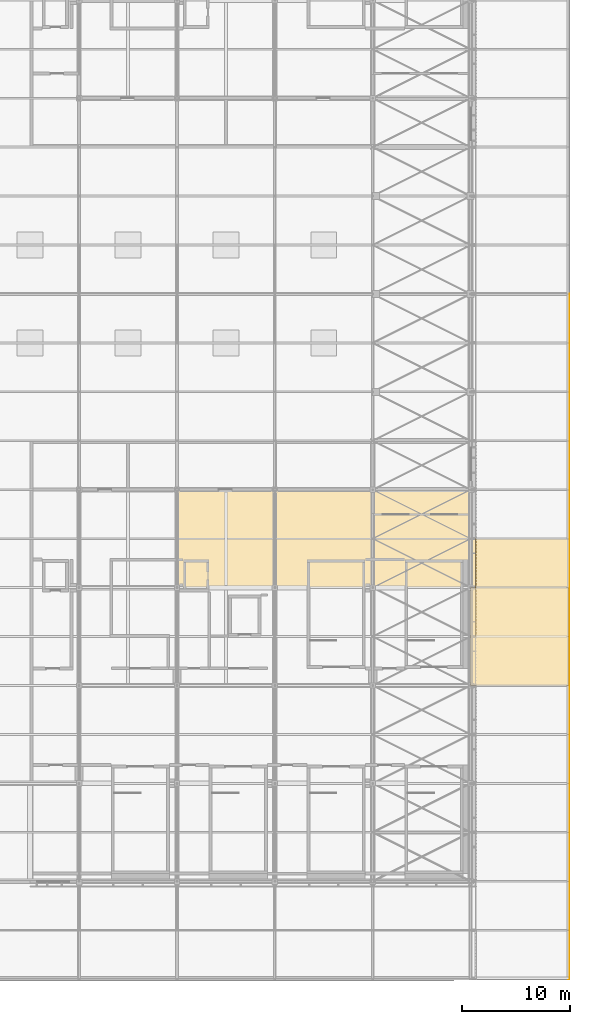
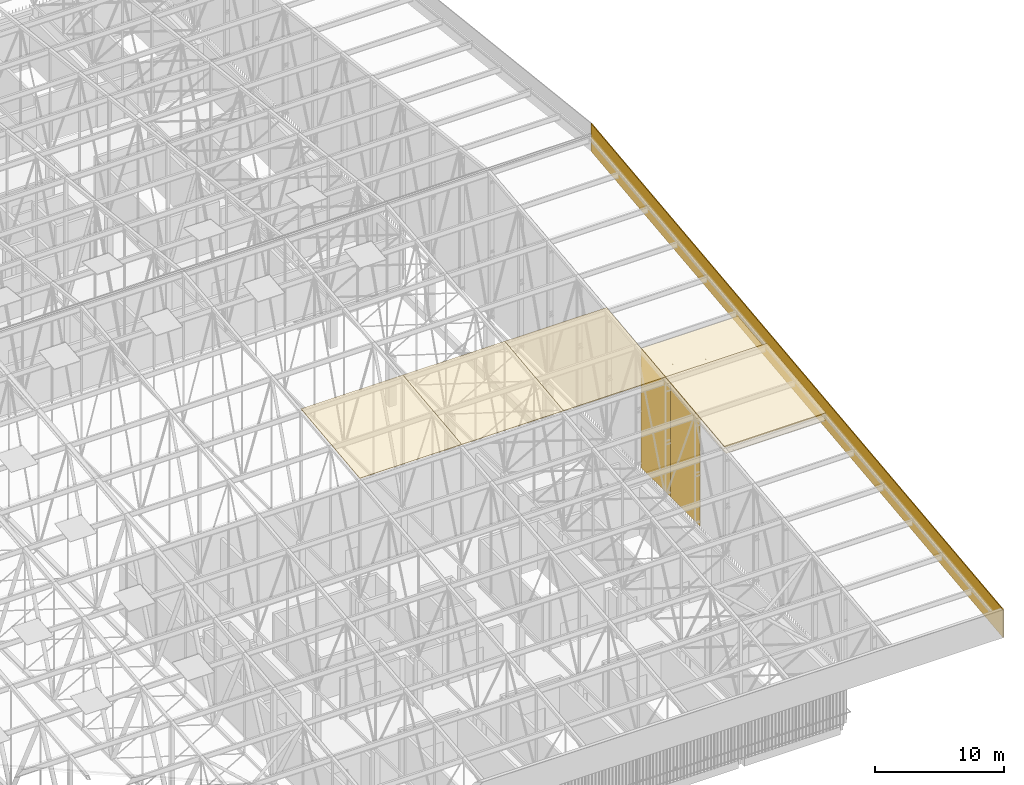
# One storey, part 489 of 500: 8 coverings, 2 shading devices.
"""IFC4 building model written with IfcOpenShell, lengths in metres."""

from ifc_helpers import new_model, si_unit, direction, frame, origin, origin_2d, place, context, subcontext, project, spatial, polyline, rectangle, outline, extrude, material, layer, layer_set, type_object, element, save


model = new_model("IFC4")

# Units and contexts
model_context = context("Model", 3, precision=1e-05, world=origin(), true_north=direction((0.0, 1.0)))
body_context = subcontext(model_context, "Body", "Model", "MODEL_VIEW")
ifc_project = project(units=[si_unit("LENGTHUNIT", "METRE"), si_unit("AREAUNIT", "SQUARE_METRE"), si_unit("VOLUMEUNIT", "CUBIC_METRE"), si_unit("PLANEANGLEUNIT", "RADIAN"), si_unit("MASSUNIT", "GRAM", prefix="KILO")], contexts=[model_context])

# Site, building, storey
site_placement = place(None, origin())
site = spatial("IfcSite", under=ifc_project, at=site_placement, CompositionType="ELEMENT")
building_placement = place(site_placement, origin())
building = spatial("IfcBuilding", under=site, at=building_placement, Name="Shirokan Park Arena", CompositionType="ELEMENT")
storey_placement = place(building_placement, frame((0.0, 0.0, 29.1201171875)))
storey = spatial("IfcBuildingStorey", under=building, at=storey_placement, Name="L06", CompositionType="ELEMENT", Elevation=29.1201171875)

# Coverings
ifc_material_1 = material(Name="Bituminous roofing membrane")
ifc_layer_1 = layer(ifc_material_1, 0.010009765625, Name="Bituminous roofing membrane")
ifc_material_2 = material(Name="Mineral wool insulation")
ifc_layer_2 = layer(ifc_material_2, 0.050048828125, Name="Mineral wool insulation")
ifc_layer_set_1 = layer_set([ifc_layer_1, ifc_layer_2], Name="Bituminous roofing membrane + Mineral wool insulation")
covering_type_1 = type_object("IfcCoveringType", Name="Roofing membrane 60", PredefinedType="ROOFING", material=ifc_layer_set_1)
covering_1_placement = place(storey_placement, frame((118.300048828125, 27.300048828125, 16.05078125), z_axis=(0.0, -0.113526293343, 0.993534992197), x_axis=(1.0, 0.0, 0.0)))
element("IfcCovering", 1, at=covering_1_placement, inside=storey, type_object=covering_type_1, Name="Roofing", PredefinedType="ROOFING", context=body_context, shape_type="SweptSolid", body=[
    extrude(outline(polyline([(0.0, 0.0), (9.099853515625, 0.0), (9.099853515625, 9.159066954957241), (0.0, 9.159066954957241), (0.0, 0.0)])), origin(), (0.0, 0.0, -1.0), 0.06005859375),
])
for number, where, z_axis, x_axis, name in (
    (2, (127.39990234375, 27.300048828125, 16.05078125), (0.0, -0.113526293343, 0.993534992197), (1.0, 0.0, 0.0), "Roofing"),
    (3, (136.5, 27.300048828125, 16.05078125), (0.0, -0.113526293343, 0.993534992197), (1.0, 0.0, 0.0), "Roofing"),
):
    element("IfcCovering", number, at=place(storey_placement, frame(where, z_axis=z_axis, x_axis=x_axis)), inside=storey, type_object=covering_type_1, Name=name, PredefinedType="ROOFING", context=body_context, shape_type="SweptSolid", body=[
        extrude(outline(polyline([(0.0, 0.0), (9.10009765625, 0.0), (9.10009765625, 9.159066954957241), (0.0, 9.159066954957241), (0.0, 0.0)])), origin(), (0.0, 0.0, -1.0), 0.06005859375),
    ])
covering_2_placement = place(storey_placement, frame((145.60009765625, 18.199951171875, 15.0107421875), z_axis=(0.0, -0.113549598152, 0.993532328996), x_axis=(1.0, 0.0, 0.0)))
element("IfcCovering", 4, at=covering_2_placement, inside=storey, type_object=covering_type_1, Name="Roofing", PredefinedType="ROOFING", context=body_context, shape_type="SweptSolid", body=[
    extrude(outline(polyline([(0.0, 0.0), (9.099853515625, 0.0), (9.099853515625, 9.15933723611117), (0.0, 9.15933723611117), (0.0, 0.0)])), origin(), (0.0, 0.0, -1.0), 0.06005859375),
])
ifc_material_3 = material(Name="Timber soffit boards (cedar)", Category="wood")
ifc_layer_3 = layer(ifc_material_3, 0.030029296875)
ifc_layer_set_2 = layer_set([ifc_layer_3], Name="Timber soffit boards (cedar) 30 mm")
covering_type_2 = type_object("IfcCoveringType", Name="Timber boarded soffit panel", PredefinedType="CLADDING", material=ifc_layer_set_2)
covering_3_placement = place(storey_placement, origin())
element("IfcCovering", 5, at=covering_3_placement, inside=storey, type_object=covering_type_2, Name="Rake soffit east bay 7", PredefinedType="CLADDING", context=body_context, shape_type="SweptSolid", body=[
    extrude(outline(polyline([(0.0, 0.0), (0.12000000000000455, 0.0), (0.12000000000000455, -4.579617887990222), (0.0, -4.579617887990222), (0.0, 0.0)])), frame((145.846923828125, 18.199951171875, 14.302001953125), z_axis=(0.0, -0.113546591161, 0.993532672656), x_axis=(-1.0, 0.0, 0.0)), (0.0, 0.0, -1.0), 0.030029296875),
    extrude(outline(polyline([(0.0, 0.0), (0.11999999999997613, 0.0), (0.11999999999997613, -4.579617887990221), (0.0, -4.579617887990221), (0.0, 0.0)])), frame((154.580078125, 22.75, 14.82177734375), z_axis=(0.0, -0.113546591161, 0.993532672656), x_axis=(1.0, 0.0, 0.0)), (0.0, 0.0, -1.0), 0.030029296875),
    extrude(outline(polyline([(0.0, 0.0), (0.12078064455863914, 0.0), (0.12078064455863914, -8.733000000000002), (0.0, -8.733000000000002), (0.0, 0.0)])), frame((154.580078125, 22.75, 14.82177734375), z_axis=(0.0, -0.11351156512, 0.993536675007), x_axis=(0.0, -0.993536675007, -0.11351156512)), (0.0, 0.0, -1.0), 0.030029296875),
    extrude(outline(polyline([(0.0, 0.0), (0.12078064455863916, 0.0), (0.12078064455863916, -8.733000000000006), (0.0, -8.733000000000006), (0.0, 0.0)])), frame((145.846923828125, 18.199951171875, 14.302001953125), z_axis=(0.0, -0.11351156512, 0.993536675007), x_axis=(0.0, 0.993536675007, 0.11351156512)), (0.0, 0.0, -1.0), 0.030029296875),
    extrude(outline(polyline([(0.0, 0.0), (8.733000000000004, 0.0), (8.733000000000004, -0.18452428160000883), (0.0, -0.18452428160000883), (0.0, 0.0)])), frame((154.580078125, 18.320068359375, 14.315673828125), z_axis=(0.0, -0.113589386818, 0.99352778079), x_axis=(-1.0, 0.0, 0.0)), (0.0, 0.0, -1.0), 0.030029296875),
    extrude(outline(polyline([(0.0, 0.0), (8.733000000000004, 0.0), (8.733000000000004, -0.30531372586243316), (0.0, -0.30531372586243316), (0.0, 0.0)])), frame((154.580078125, 18.50341796875, 14.336669921875), z_axis=(0.0, -0.113522573877, 0.993535417195), x_axis=(-1.0, 0.0, 0.0)), (0.0, 0.0, -1.0), 0.030029296875),
    extrude(outline(polyline([(0.0, 0.0), (8.733000000000004, 0.0), (8.733000000000004, -0.30530492593471165), (0.0, -0.30530492593471165), (0.0, 0.0)])), frame((154.580078125, 18.806640625, 14.37109375), z_axis=(0.0, -0.113558600124, 0.99353130013), x_axis=(-1.0, 0.0, 0.0)), (0.0, 0.0, -1.0), 0.030029296875),
    extrude(outline(polyline([(0.0, 0.0), (8.733000000000004, 0.0), (8.733000000000004, -0.30530492593471087), (0.0, -0.30530492593471087), (0.0, 0.0)])), frame((154.580078125, 19.110107421875, 14.40576171875), z_axis=(0.0, -0.113558600124, 0.99353130013), x_axis=(-1.0, 0.0, 0.0)), (0.0, 0.0, -1.0), 0.030029296875),
    extrude(outline(polyline([(0.0, 0.0), (8.733000000000004, 0.0), (8.733000000000004, -0.30531372586243316), (0.0, -0.30531372586243316), (0.0, 0.0)])), frame((154.580078125, 19.413330078125, 14.440673828125), z_axis=(0.0, -0.113522573877, 0.993535417195), x_axis=(-1.0, 0.0, 0.0)), (0.0, 0.0, -1.0), 0.030029296875),
    extrude(outline(polyline([(0.0, 0.0), (8.733000000000004, 0.0), (8.733000000000004, -0.3053049259347117), (0.0, -0.3053049259347117), (0.0, 0.0)])), frame((154.580078125, 19.716552734375, 14.47509765625), z_axis=(0.0, -0.113558600124, 0.99353130013), x_axis=(-1.0, 0.0, 0.0)), (0.0, 0.0, -1.0), 0.030029296875),
    extrude(outline(polyline([(0.0, 0.0), (8.733000000000004, 0.0), (8.733000000000004, -0.30530492593471087), (0.0, -0.30530492593471087), (0.0, 0.0)])), frame((154.580078125, 20.02001953125, 14.509765625), z_axis=(0.0, -0.113558600124, 0.99353130013), x_axis=(-1.0, 0.0, 0.0)), (0.0, 0.0, -1.0), 0.030029296875),
    extrude(outline(polyline([(0.0, 0.0), (8.733000000000004, 0.0), (8.733000000000004, -0.30531372586243394), (0.0, -0.30531372586243394), (0.0, 0.0)])), frame((154.580078125, 20.3232421875, 14.54443359375), z_axis=(0.0, -0.113522573877, 0.993535417195), x_axis=(-1.0, 0.0, 0.0)), (0.0, 0.0, -1.0), 0.030029296875),
    extrude(outline(polyline([(0.0, 0.0), (8.733000000000004, 0.0), (8.733000000000004, -0.30530492593471087), (0.0, -0.30530492593471087), (0.0, 0.0)])), frame((154.580078125, 20.626708984375, 14.5791015625), z_axis=(0.0, -0.113558600124, 0.99353130013), x_axis=(-1.0, 0.0, 0.0)), (0.0, 0.0, -1.0), 0.030029296875),
    extrude(outline(polyline([(0.0, 0.0), (8.733000000000004, 0.0), (8.733000000000004, -0.30530492593471087), (0.0, -0.30530492593471087), (0.0, 0.0)])), frame((154.580078125, 20.929931640625, 14.61376953125), z_axis=(0.0, -0.113558600124, 0.99353130013), x_axis=(-1.0, 0.0, 0.0)), (0.0, 0.0, -1.0), 0.030029296875),
    extrude(outline(polyline([(0.0, 0.0), (8.733000000000004, 0.0), (8.733000000000004, -0.30531372586243394), (0.0, -0.30531372586243394), (0.0, 0.0)])), frame((154.580078125, 21.2333984375, 14.6484375), z_axis=(0.0, -0.113522573877, 0.993535417195), x_axis=(-1.0, 0.0, 0.0)), (0.0, 0.0, -1.0), 0.030029296875),
    extrude(outline(polyline([(0.0, 0.0), (8.733000000000004, 0.0), (8.733000000000004, -0.30530492593471087), (0.0, -0.30530492593471087), (0.0, 0.0)])), frame((154.580078125, 21.53662109375, 14.68310546875), z_axis=(0.0, -0.113558600124, 0.99353130013), x_axis=(-1.0, 0.0, 0.0)), (0.0, 0.0, -1.0), 0.030029296875),
    extrude(outline(polyline([(0.0, 0.0), (8.733000000000004, 0.0), (8.733000000000004, -0.30530492593471087), (0.0, -0.30530492593471087), (0.0, 0.0)])), frame((154.580078125, 21.840087890625, 14.7177734375), z_axis=(0.0, -0.113558600124, 0.99353130013), x_axis=(-1.0, 0.0, 0.0)), (0.0, 0.0, -1.0), 0.030029296875),
    extrude(outline(polyline([(0.0, 0.0), (8.733000000000004, 0.0), (8.733000000000004, -0.305313725862434), (0.0, -0.305313725862434), (0.0, 0.0)])), frame((154.580078125, 22.143310546875, 14.75244140625), z_axis=(0.0, -0.113522573877, 0.993535417195), x_axis=(-1.0, 0.0, 0.0)), (0.0, 0.0, -1.0), 0.030029296875),
    extrude(outline(polyline([(0.0, 0.0), (0.18452428160000806, 0.0), (0.18452428160000806, -8.733000000000004), (0.0, -8.733000000000004), (0.0, 0.0)])), frame((154.580078125, 22.6298828125, 14.80810546875), z_axis=(0.0, -0.113589386818, 0.99352778079), x_axis=(0.0, -0.99352778079, -0.113589386818)), (0.0, 0.0, -1.0), 0.030029296875),
])
covering_4_placement = place(storey_placement, origin())
element("IfcCovering", 6, at=covering_4_placement, inside=storey, type_object=covering_type_2, Name="Rake soffit east bay 8", PredefinedType="CLADDING", context=body_context, shape_type="SweptSolid", body=[
    extrude(outline(polyline([(0.0, 0.0), (0.12000000000000455, 0.0), (0.12000000000000455, -4.579617887990222), (0.0, -4.579617887990222), (0.0, 0.0)])), frame((145.846923828125, 22.75, 14.82177734375), z_axis=(0.0, -0.113546591161, 0.993532672656), x_axis=(-1.0, 0.0, 0.0)), (0.0, 0.0, -1.0), 0.030029296875),
    extrude(outline(polyline([(0.0, 0.0), (0.11999999999997613, 0.0), (0.11999999999997613, -4.579617887990221), (0.0, -4.579617887990221), (0.0, 0.0)])), frame((154.580078125, 27.300048828125, 15.341796875), z_axis=(0.0, -0.113546591161, 0.993532672656), x_axis=(1.0, 0.0, 0.0)), (0.0, 0.0, -1.0), 0.030029296875),
    extrude(outline(polyline([(0.0, 0.0), (0.12078064455863916, 0.0), (0.12078064455863916, -8.733000000000006), (0.0, -8.733000000000006), (0.0, 0.0)])), frame((154.580078125, 27.300048828125, 15.341796875), z_axis=(0.0, -0.11351156512, 0.993536675007), x_axis=(0.0, -0.993536675007, -0.11351156512)), (0.0, 0.0, -1.0), 0.030029296875),
    extrude(outline(polyline([(0.0, 0.0), (0.12078064455863916, 0.0), (0.12078064455863916, -8.733000000000006), (0.0, -8.733000000000006), (0.0, 0.0)])), frame((145.846923828125, 22.75, 14.82177734375), z_axis=(0.0, -0.11351156512, 0.993536675007), x_axis=(0.0, 0.993536675007, 0.11351156512)), (0.0, 0.0, -1.0), 0.030029296875),
    extrude(outline(polyline([(0.0, 0.0), (8.733000000000004, 0.0), (8.733000000000004, -0.18452428160000803), (0.0, -0.18452428160000803), (0.0, 0.0)])), frame((154.580078125, 22.8701171875, 14.835693359375), z_axis=(0.0, -0.113589386818, 0.99352778079), x_axis=(-1.0, 0.0, 0.0)), (0.0, 0.0, -1.0), 0.030029296875),
    extrude(outline(polyline([(0.0, 0.0), (8.733000000000004, 0.0), (8.733000000000004, -0.305313725862434), (0.0, -0.305313725862434), (0.0, 0.0)])), frame((154.580078125, 23.05322265625, 14.8564453125), z_axis=(0.0, -0.113522573877, 0.993535417195), x_axis=(-1.0, 0.0, 0.0)), (0.0, 0.0, -1.0), 0.030029296875),
    extrude(outline(polyline([(0.0, 0.0), (8.733000000000004, 0.0), (8.733000000000004, -0.30530492593471087), (0.0, -0.30530492593471087), (0.0, 0.0)])), frame((154.580078125, 23.356689453125, 14.89111328125), z_axis=(0.0, -0.113558600124, 0.99353130013), x_axis=(-1.0, 0.0, 0.0)), (0.0, 0.0, -1.0), 0.030029296875),
    extrude(outline(polyline([(0.0, 0.0), (8.733000000000004, 0.0), (8.733000000000004, -0.30530492593471087), (0.0, -0.30530492593471087), (0.0, 0.0)])), frame((154.580078125, 23.659912109375, 14.92578125), z_axis=(0.0, -0.113558600124, 0.99353130013), x_axis=(-1.0, 0.0, 0.0)), (0.0, 0.0, -1.0), 0.030029296875),
    extrude(outline(polyline([(0.0, 0.0), (8.733000000000004, 0.0), (8.733000000000004, -0.30531372586243394), (0.0, -0.30531372586243394), (0.0, 0.0)])), frame((154.580078125, 23.96337890625, 14.96044921875), z_axis=(0.0, -0.113522573877, 0.993535417195), x_axis=(-1.0, 0.0, 0.0)), (0.0, 0.0, -1.0), 0.030029296875),
    extrude(outline(polyline([(0.0, 0.0), (8.733000000000004, 0.0), (8.733000000000004, -0.30530492593471087), (0.0, -0.30530492593471087), (0.0, 0.0)])), frame((154.580078125, 24.2666015625, 14.9951171875), z_axis=(0.0, -0.113558600124, 0.99353130013), x_axis=(-1.0, 0.0, 0.0)), (0.0, 0.0, -1.0), 0.030029296875),
    extrude(outline(polyline([(0.0, 0.0), (8.733000000000004, 0.0), (8.733000000000004, -0.30530492593471087), (0.0, -0.30530492593471087), (0.0, 0.0)])), frame((154.580078125, 24.570068359375, 15.02978515625), z_axis=(0.0, -0.113558600124, 0.99353130013), x_axis=(-1.0, 0.0, 0.0)), (0.0, 0.0, -1.0), 0.030029296875),
    extrude(outline(polyline([(0.0, 0.0), (8.733000000000004, 0.0), (8.733000000000004, -0.30531372586243394), (0.0, -0.30531372586243394), (0.0, 0.0)])), frame((154.580078125, 24.873291015625, 15.064453125), z_axis=(0.0, -0.113522573877, 0.993535417195), x_axis=(-1.0, 0.0, 0.0)), (0.0, 0.0, -1.0), 0.030029296875),
    extrude(outline(polyline([(0.0, 0.0), (8.733000000000004, 0.0), (8.733000000000004, -0.30530492593471087), (0.0, -0.30530492593471087), (0.0, 0.0)])), frame((154.580078125, 25.1767578125, 15.09912109375), z_axis=(0.0, -0.113558600124, 0.99353130013), x_axis=(-1.0, 0.0, 0.0)), (0.0, 0.0, -1.0), 0.030029296875),
    extrude(outline(polyline([(0.0, 0.0), (8.733000000000004, 0.0), (8.733000000000004, -0.3053049259347117), (0.0, -0.3053049259347117), (0.0, 0.0)])), frame((154.580078125, 25.47998046875, 15.1337890625), z_axis=(0.0, -0.113558600124, 0.99353130013), x_axis=(-1.0, 0.0, 0.0)), (0.0, 0.0, -1.0), 0.030029296875),
    extrude(outline(polyline([(0.0, 0.0), (8.733000000000004, 0.0), (8.733000000000004, -0.30531372586243316), (0.0, -0.30531372586243316), (0.0, 0.0)])), frame((154.580078125, 25.783447265625, 15.16845703125), z_axis=(0.0, -0.113522573877, 0.993535417195), x_axis=(-1.0, 0.0, 0.0)), (0.0, 0.0, -1.0), 0.030029296875),
    extrude(outline(polyline([(0.0, 0.0), (8.733000000000004, 0.0), (8.733000000000004, -0.30530492593471087), (0.0, -0.30530492593471087), (0.0, 0.0)])), frame((154.580078125, 26.086669921875, 15.203125), z_axis=(0.0, -0.113558600124, 0.99353130013), x_axis=(-1.0, 0.0, 0.0)), (0.0, 0.0, -1.0), 0.030029296875),
    extrude(outline(polyline([(0.0, 0.0), (8.733000000000004, 0.0), (8.733000000000004, -0.30530492593471165), (0.0, -0.30530492593471165), (0.0, 0.0)])), frame((154.580078125, 26.389892578125, 15.23779296875), z_axis=(0.0, -0.113558600124, 0.99353130013), x_axis=(-1.0, 0.0, 0.0)), (0.0, 0.0, -1.0), 0.030029296875),
    extrude(outline(polyline([(0.0, 0.0), (8.733000000000004, 0.0), (8.733000000000004, -0.30531372586243316), (0.0, -0.30531372586243316), (0.0, 0.0)])), frame((154.580078125, 26.693359375, 15.2724609375), z_axis=(0.0, -0.113522573877, 0.993535417195), x_axis=(-1.0, 0.0, 0.0)), (0.0, 0.0, -1.0), 0.030029296875),
    extrude(outline(polyline([(0.0, 0.0), (0.18452428160000883, 0.0), (0.18452428160000883, -8.733000000000004), (0.0, -8.733000000000004), (0.0, 0.0)])), frame((154.580078125, 27.179931640625, 15.328125), z_axis=(0.0, -0.113589386818, 0.99352778079), x_axis=(0.0, -0.99352778079, -0.113589386818)), (0.0, 0.0, -1.0), 0.030029296875),
])
covering_5_placement = place(storey_placement, origin())
element("IfcCovering", 7, at=covering_5_placement, inside=storey, type_object=covering_type_2, Name="Rake soffit east bay 9", PredefinedType="CLADDING", context=body_context, shape_type="SweptSolid", body=[
    extrude(outline(polyline([(0.0, 0.0), (0.12000000000000455, 0.0), (0.12000000000000455, -4.579617887990221), (0.0, -4.579617887990221), (0.0, 0.0)])), frame((145.846923828125, 27.300048828125, 15.341796875), z_axis=(0.0, -0.113546591161, 0.993532672656), x_axis=(-1.0, 0.0, 0.0)), (0.0, 0.0, -1.0), 0.030029296875),
    extrude(outline(polyline([(0.0, 0.0), (0.11999999999997613, 0.0), (0.11999999999997613, -4.57961788799022), (0.0, -4.57961788799022), (0.0, 0.0)])), frame((154.580078125, 31.85009765625, 15.86181640625), z_axis=(0.0, -0.113546591161, 0.993532672656), x_axis=(1.0, 0.0, 0.0)), (0.0, 0.0, -1.0), 0.030029296875),
    extrude(outline(polyline([(0.0, 0.0), (0.12078064455863834, 0.0), (0.12078064455863834, -8.733000000000004), (0.0, -8.733000000000004), (0.0, 0.0)])), frame((154.580078125, 31.85009765625, 15.86181640625), z_axis=(0.0, -0.11351156512, 0.993536675007), x_axis=(0.0, -0.993536675007, -0.11351156512)), (0.0, 0.0, -1.0), 0.030029296875),
    extrude(outline(polyline([(0.0, 0.0), (0.12078064455863835, 0.0), (0.12078064455863835, -8.733000000000004), (0.0, -8.733000000000004), (0.0, 0.0)])), frame((145.846923828125, 27.300048828125, 15.341796875), z_axis=(0.0, -0.11351156512, 0.993536675007), x_axis=(0.0, 0.993536675007, 0.11351156512)), (0.0, 0.0, -1.0), 0.030029296875),
    extrude(outline(polyline([(0.0, 0.0), (8.733000000000004, 0.0), (8.733000000000004, -0.18452428160000886), (0.0, -0.18452428160000886), (0.0, 0.0)])), frame((154.580078125, 27.419921875, 15.355712890625), z_axis=(0.0, -0.113589386818, 0.99352778079), x_axis=(-1.0, 0.0, 0.0)), (0.0, 0.0, -1.0), 0.030029296875),
    extrude(outline(polyline([(0.0, 0.0), (8.733000000000004, 0.0), (8.733000000000004, -0.3053137258624296), (0.0, -0.3053137258624296), (0.0, 0.0)])), frame((154.580078125, 27.603271484375, 15.37646484375), z_axis=(0.0, -0.113522573877, 0.993535417195), x_axis=(-1.0, 0.0, 0.0)), (0.0, 0.0, -1.0), 0.030029296875),
    extrude(outline(polyline([(0.0, 0.0), (8.733000000000004, 0.0), (8.733000000000004, -0.3053049259347152), (0.0, -0.3053049259347152), (0.0, 0.0)])), frame((154.580078125, 27.90673828125, 15.4111328125), z_axis=(0.0, -0.113558600124, 0.99353130013), x_axis=(-1.0, 0.0, 0.0)), (0.0, 0.0, -1.0), 0.030029296875),
    extrude(outline(polyline([(0.0, 0.0), (8.733000000000004, 0.0), (8.733000000000004, -0.30530492593471087), (0.0, -0.30530492593471087), (0.0, 0.0)])), frame((154.580078125, 28.2099609375, 15.44580078125), z_axis=(0.0, -0.113558600124, 0.99353130013), x_axis=(-1.0, 0.0, 0.0)), (0.0, 0.0, -1.0), 0.030029296875),
    extrude(outline(polyline([(0.0, 0.0), (8.733000000000004, 0.0), (8.733000000000004, -0.30531372586243044), (0.0, -0.30531372586243044), (0.0, 0.0)])), frame((154.580078125, 28.513427734375, 15.48046875), z_axis=(0.0, -0.113522573877, 0.993535417195), x_axis=(-1.0, 0.0, 0.0)), (0.0, 0.0, -1.0), 0.030029296875),
    extrude(outline(polyline([(0.0, 0.0), (8.733000000000004, 0.0), (8.733000000000004, -0.3053049259347144), (0.0, -0.3053049259347144), (0.0, 0.0)])), frame((154.580078125, 28.816650390625, 15.51513671875), z_axis=(0.0, -0.113558600124, 0.99353130013), x_axis=(-1.0, 0.0, 0.0)), (0.0, 0.0, -1.0), 0.030029296875),
    extrude(outline(polyline([(0.0, 0.0), (8.733000000000004, 0.0), (8.733000000000004, -0.30530492593471087), (0.0, -0.30530492593471087), (0.0, 0.0)])), frame((154.580078125, 29.1201171875, 15.5498046875), z_axis=(0.0, -0.113558600124, 0.99353130013), x_axis=(-1.0, 0.0, 0.0)), (0.0, 0.0, -1.0), 0.030029296875),
    extrude(outline(polyline([(0.0, 0.0), (8.733000000000004, 0.0), (8.733000000000004, -0.30531372586243044), (0.0, -0.30531372586243044), (0.0, 0.0)])), frame((154.580078125, 29.42333984375, 15.58447265625), z_axis=(0.0, -0.113522573877, 0.993535417195), x_axis=(-1.0, 0.0, 0.0)), (0.0, 0.0, -1.0), 0.030029296875),
    extrude(outline(polyline([(0.0, 0.0), (8.733000000000004, 0.0), (8.733000000000004, -0.3053049259347144), (0.0, -0.3053049259347144), (0.0, 0.0)])), frame((154.580078125, 29.7265625, 15.619140625), z_axis=(0.0, -0.113558600124, 0.99353130013), x_axis=(-1.0, 0.0, 0.0)), (0.0, 0.0, -1.0), 0.030029296875),
    extrude(outline(polyline([(0.0, 0.0), (8.733000000000004, 0.0), (8.733000000000004, -0.3053049259347108), (0.0, -0.3053049259347108), (0.0, 0.0)])), frame((154.580078125, 30.030029296875, 15.65380859375), z_axis=(0.0, -0.113558600124, 0.99353130013), x_axis=(-1.0, 0.0, 0.0)), (0.0, 0.0, -1.0), 0.030029296875),
    extrude(outline(polyline([(0.0, 0.0), (8.733000000000004, 0.0), (8.733000000000004, -0.30531372586243044), (0.0, -0.30531372586243044), (0.0, 0.0)])), frame((154.580078125, 30.333251953125, 15.6884765625), z_axis=(0.0, -0.113522573877, 0.993535417195), x_axis=(-1.0, 0.0, 0.0)), (0.0, 0.0, -1.0), 0.030029296875),
    extrude(outline(polyline([(0.0, 0.0), (8.733000000000004, 0.0), (8.733000000000004, -0.3053049259347144), (0.0, -0.3053049259347144), (0.0, 0.0)])), frame((154.580078125, 30.63671875, 15.72314453125), z_axis=(0.0, -0.113558600124, 0.99353130013), x_axis=(-1.0, 0.0, 0.0)), (0.0, 0.0, -1.0), 0.030029296875),
    extrude(outline(polyline([(0.0, 0.0), (8.733000000000004, 0.0), (8.733000000000004, -0.30530492593471087), (0.0, -0.30530492593471087), (0.0, 0.0)])), frame((154.580078125, 30.93994140625, 15.7578125), z_axis=(0.0, -0.113558600124, 0.99353130013), x_axis=(-1.0, 0.0, 0.0)), (0.0, 0.0, -1.0), 0.030029296875),
    extrude(outline(polyline([(0.0, 0.0), (8.733000000000004, 0.0), (8.733000000000004, -0.3053137258624304), (0.0, -0.3053137258624304), (0.0, 0.0)])), frame((154.580078125, 31.243408203125, 15.79248046875), z_axis=(0.0, -0.113522573877, 0.993535417195), x_axis=(-1.0, 0.0, 0.0)), (0.0, 0.0, -1.0), 0.030029296875),
    extrude(outline(polyline([(0.0, 0.0), (0.18452428160001239, 0.0), (0.18452428160001239, -8.733000000000004), (0.0, -8.733000000000004), (0.0, 0.0)])), frame((154.580078125, 31.72998046875, 15.84814453125), z_axis=(0.0, -0.113589386818, 0.99352778079), x_axis=(0.0, -0.99352778079, -0.113589386818)), (0.0, 0.0, -1.0), 0.030029296875),
])

# Shading devices
ifc_material_4 = material(Name="Timber louvre veil (cedar)", Category="wood")
shading_device_type = type_object("IfcShadingDeviceType", Name="Timber louvre veil panel, gable band, closed", PredefinedType="JALOUSIE", material=ifc_material_4)
shading_device_1_placement = place(storey_placement, origin())
element("IfcShadingDevice", 8, at=shading_device_1_placement, inside=storey, type_object=shading_device_type, Name="Timber louvre veil gable band east bay 8", PredefinedType="JALOUSIE", context=body_context, shape_type="SweptSolid", body=[
    extrude(outline(polyline([(23.05322265625, 14.7919921875), (22.75, 14.7919921875), (22.75, 4.575927734375), (27.300048828125, 4.575927734375), (27.300048828125, 15.277099609375), (26.99658203125, 15.277099609375), (26.99658203125, 15.242431640625), (26.693359375, 15.242431640625), (26.693359375, 15.207763671875), (26.389892578125, 15.207763671875), (26.389892578125, 15.173095703125), (26.086669921875, 15.173095703125), (26.086669921875, 15.138671875), (25.783447265625, 15.138671875), (25.783447265625, 15.10400390625), (25.47998046875, 15.10400390625), (25.47998046875, 15.0693359375), (25.1767578125, 15.0693359375), (25.1767578125, 15.03466796875), (24.873291015625, 15.03466796875), (24.873291015625, 15.0), (24.570068359375, 15.0), (24.570068359375, 14.96533203125), (24.2666015625, 14.96533203125), (24.2666015625, 14.9306640625), (23.96337890625, 14.9306640625), (23.96337890625, 14.89599609375), (23.659912109375, 14.89599609375), (23.659912109375, 14.861328125), (23.356689453125, 14.861328125), (23.356689453125, 14.82666015625), (23.05322265625, 14.82666015625), (23.05322265625, 14.7919921875)])), frame((146.044921875, 0.0, 0.0), z_axis=(1.0, 0.0, 0.0), x_axis=(0.0, 1.0, 0.0)), (0.0, 0.0, 1.0), 0.080078125),
    extrude(rectangle(XDim=0.050048828125, YDim=4.550048828125, at=origin_2d()), frame((146.070068359375, 25.02490234375, 4.98583984375), z_axis=(0.0, 0.0, 1.0), x_axis=(1.0, 0.0, 0.0)), (0.0, 0.0, 1.0), 0.080078125),
    extrude(rectangle(XDim=0.050048828125, YDim=4.550048828125, at=origin_2d()), frame((146.070068359375, 25.02490234375, 9.643798828125), z_axis=(0.0, 0.0, 1.0), x_axis=(1.0, 0.0, 0.0)), (0.0, 0.0, 1.0), 0.080078125),
    extrude(rectangle(XDim=0.050048828125, YDim=4.550048828125, at=origin_2d()), frame((146.070068359375, 25.02490234375, 14.65185546875), z_axis=(0.0, 0.0, 1.0), x_axis=(1.0, 0.0, 0.0)), (0.0, 0.0, 1.0), 0.080078125),
])
shading_device_2_placement = place(storey_placement, origin())
element("IfcShadingDevice", 9, at=shading_device_2_placement, inside=storey, type_object=shading_device_type, Name="Timber louvre veil gable band east bay 9", PredefinedType="JALOUSIE", context=body_context, shape_type="SweptSolid", body=[
    extrude(outline(polyline([(27.603271484375, 15.311767578125), (27.300048828125, 15.311767578125), (27.300048828125, 4.575927734375), (31.85009765625, 4.575927734375), (31.85009765625, 15.797119140625), (31.546630859375, 15.797119140625), (31.546630859375, 15.762451171875), (31.243408203125, 15.762451171875), (31.243408203125, 15.727783203125), (30.93994140625, 15.727783203125), (30.93994140625, 15.693115234375), (30.63671875, 15.693115234375), (30.63671875, 15.658447265625), (30.333251953125, 15.658447265625), (30.333251953125, 15.623779296875), (30.030029296875, 15.623779296875), (30.030029296875, 15.589111328125), (29.7265625, 15.589111328125), (29.7265625, 15.554443359375), (29.42333984375, 15.554443359375), (29.42333984375, 15.519775390625), (29.1201171875, 15.519775390625), (29.1201171875, 15.485107421875), (28.816650390625, 15.485107421875), (28.816650390625, 15.450439453125), (28.513427734375, 15.450439453125), (28.513427734375, 15.415771484375), (28.2099609375, 15.415771484375), (28.2099609375, 15.381103515625), (27.90673828125, 15.381103515625), (27.90673828125, 15.346435546875), (27.603271484375, 15.346435546875), (27.603271484375, 15.311767578125)])), frame((146.044921875, 0.0, 0.0), z_axis=(1.0, 0.0, 0.0), x_axis=(0.0, 1.0, 0.0)), (0.0, 0.0, 1.0), 0.080078125),
    extrude(rectangle(XDim=0.050048828125, YDim=4.550048828125, at=origin_2d()), frame((146.070068359375, 29.574951171875, 4.98583984375), z_axis=(0.0, 0.0, 1.0), x_axis=(1.0, 0.0, 0.0)), (0.0, 0.0, 1.0), 0.080078125),
    extrude(rectangle(XDim=0.050048828125, YDim=4.550048828125, at=origin_2d()), frame((146.070068359375, 29.574951171875, 9.90380859375), z_axis=(0.0, 0.0, 1.0), x_axis=(1.0, 0.0, 0.0)), (0.0, 0.0, 1.0), 0.080078125),
    extrude(rectangle(XDim=0.050048828125, YDim=4.550048828125, at=origin_2d()), frame((146.070068359375, 29.574951171875, 15.171875), z_axis=(0.0, 0.0, 1.0), x_axis=(1.0, 0.0, 0.0)), (0.0, 0.0, 1.0), 0.080078125),
])

# Covering
ifc_material_5 = material(Name="Timber fascia board (cedar)", Category="wood")
ifc_layer_4 = layer(ifc_material_5, 0.080078125)
ifc_layer_set_3 = layer_set([ifc_layer_4], Name="Timber fascia board (cedar) 80 mm")
covering_type_3 = type_object("IfcCoveringType", Name="Timber rake fascia 80", PredefinedType="CLADDING", material=ifc_layer_set_3)
covering_6_placement = place(storey_placement, frame((154.780029296875, -9.14990234375, 10.350830078125), z_axis=(1.0, 0.0, 0.0), x_axis=(0.0, 0.993542664023, 0.113459132577)))
element("IfcCovering", 10, at=covering_6_placement, inside=storey, type_object=covering_type_3, Name="Rake fascia east south half", PredefinedType="CLADDING", context=body_context, shape_type="SweptSolid", body=[
    extrude(outline(polyline([(0.0, 0.0), (64.16433064065548, 0.0), (64.46373976273195, 2.62187564829828), (0.2994368220600038, 2.622118212425239), (0.0, 0.0)])), origin(), (0.0, 0.0, -1.0), 0.080078125),
])

save(model, "model.ifc")
